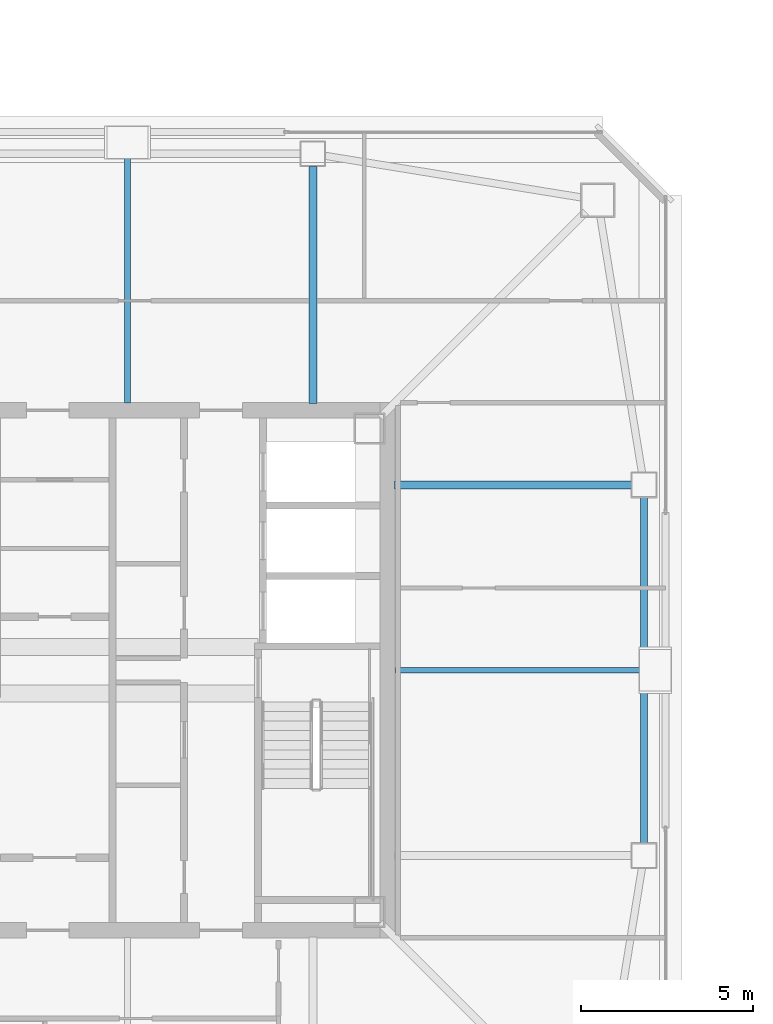
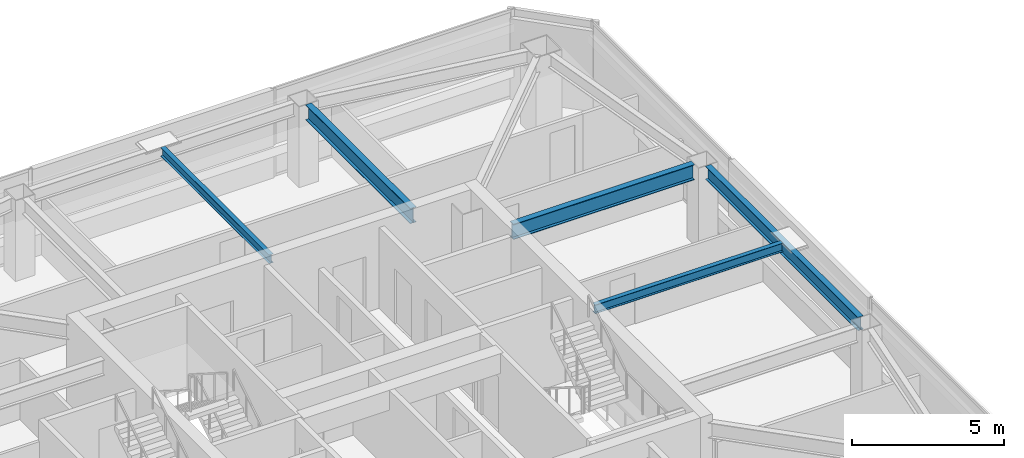
# One storey, part 11 of 39: 5 beams.
"""IFC4 building model written with IfcOpenShell, lengths in metres."""

from ifc_helpers import new_model, si_unit, direction, frame, origin, origin_2d, place, context, subcontext, project, spatial, i_section, extrude, material, material_profile, profile_set, type_object, element, save


model = new_model("IFC4")

# Units and contexts
model_context = context("Model", 3, precision=1e-05, world=origin(), true_north=direction((0.0, 1.0)))
body_context = subcontext(model_context, "Body", "Model", "MODEL_VIEW")
ifc_project = project(units=[si_unit("LENGTHUNIT", "METRE"), si_unit("AREAUNIT", "SQUARE_METRE"), si_unit("VOLUMEUNIT", "CUBIC_METRE"), si_unit("PLANEANGLEUNIT", "RADIAN"), si_unit("MASSUNIT", "GRAM", prefix="KILO")], contexts=[model_context])

# Site, building, storey
site_placement = place(None, origin())
site = spatial("IfcSite", under=ifc_project, at=site_placement, CompositionType="ELEMENT")
building_placement = place(site_placement, origin())
building = spatial("IfcBuilding", under=site, at=building_placement, Name="Tashvorn Skyway Center", CompositionType="ELEMENT")
storey_placement = place(building_placement, frame((0.0, 0.0, 243.25)))
storey = spatial("IfcBuildingStorey", under=building, at=storey_placement, Name="L66", CompositionType="ELEMENT", Elevation=243.25)

# Beams
ifc_material = material(Name="Steel ASTM A992 Grade 50", Category="steel")
ifc_material_profile_1 = material_profile(ifc_material, i_section(OverallWidth=0.22998046875, OverallDepth=0.616943359375, WebThickness=0.01318359375, FlangeThickness=0.022216796875, at=origin_2d()), Name="W24X94")
ifc_profile_set_1 = profile_set([ifc_material_profile_1], Name="Steel ASTM A992 Grade 50")
beam_type_1 = type_object("IfcBeamType", Name="BM-BEAM-W24X94", PredefinedType="BEAM", material=ifc_profile_set_1)
for number, where, z_axis, x_axis, name in (
    (1, (56.679931640625, 37.39990234375, 2.94140625), (-1.0, 0.0, 0.0), (0.0, -1.0, 0.0), "Tower 1 L66 Primary Floor Girder FC-E2"),
    (2, (47.39990234375, 46.679931640625, 2.94140625), (0.0, -1.0, 0.0), (1.0, 0.0, 0.0), "Tower 1 L66 Primary Floor Girder FC-N1"),
):
    element("IfcBeam", number, at=place(storey_placement, frame(where, z_axis=z_axis, x_axis=x_axis)), inside=storey, type_object=beam_type_1, Name=name, PredefinedType="BEAM", context=body_context, shape_type="SweptSolid", body=[
        extrude(i_section(OverallWidth=0.22998046875, OverallDepth=0.616943359375, WebThickness=0.01318359375, FlangeThickness=0.022216796875, at=origin_2d()), origin(), (0.0, 0.0, 1.0), 6.89990234375),
    ])
ifc_material_profile_2 = material_profile(ifc_material, i_section(OverallWidth=0.1708984375, OverallDepth=0.35498046875, WebThickness=0.007080078125, FlangeThickness=0.01171875, at=origin_2d()), Name="W14X34")
ifc_profile_set_2 = profile_set([ifc_material_profile_2], Name="Steel ASTM A992 Grade 50")
beam_type_2 = type_object("IfcBeamType", Name="BM-JOIST-W14X34", PredefinedType="JOIST", material=ifc_profile_set_2)
for number, where, z_axis, x_axis, name in (
    (3, (42.0, 39.7900390625, 3.072509765625), (0.0, 1.0, 0.0), (-1.0, 0.0, 0.0), "Tower 1 L66 Secondary Composite Joist JN"),
    (4, (49.7900390625, 32.0, 3.072509765625), (1.0, 0.0, 0.0), (0.0, 1.0, 0.0), "Tower 1 L66 Secondary Composite Joist JE"),
):
    element("IfcBeam", number, at=place(storey_placement, frame(where, z_axis=z_axis, x_axis=x_axis)), inside=storey, type_object=beam_type_2, Name=name, PredefinedType="JOIST", context=body_context, shape_type="SweptSolid", body=[
        extrude(i_section(OverallWidth=0.1708984375, OverallDepth=0.35498046875, WebThickness=0.007080078125, FlangeThickness=0.01171875, at=origin_2d()), origin(), (0.0, 0.0, 1.0), 7.162353515625),
    ])
ifc_material_profile_3 = material_profile(ifc_material, i_section(OverallWidth=0.2109375, OverallDepth=0.5390625, WebThickness=0.01171875, FlangeThickness=0.018798828125, at=origin_2d()), Name="W21X73")
ifc_profile_set_3 = profile_set([ifc_material_profile_3], Name="Steel ASTM A992 Grade 50")
beam_type_3 = type_object("IfcBeamType", Name="BM-SPANDREL-W21X73", PredefinedType="SPANDREL", material=ifc_profile_set_3)
beam_placement = place(storey_placement, frame((57.050048828125, 26.969970703125, 2.98046875), z_axis=(0.0, 1.0, 0.0), x_axis=(-1.0, 0.0, 0.0)))
element("IfcBeam", 5, at=beam_placement, inside=storey, type_object=beam_type_3, Name="Tower 1 L66 Spandrel Beam 05", PredefinedType="SPANDREL", context=body_context, shape_type="SweptSolid", body=[
    extrude(i_section(OverallWidth=0.2109375, OverallDepth=0.5390625, WebThickness=0.01171875, FlangeThickness=0.018798828125, at=origin_2d()), origin(), (0.0, 0.0, 1.0), 10.06005859375),
])

save(model, "model.ifc")
